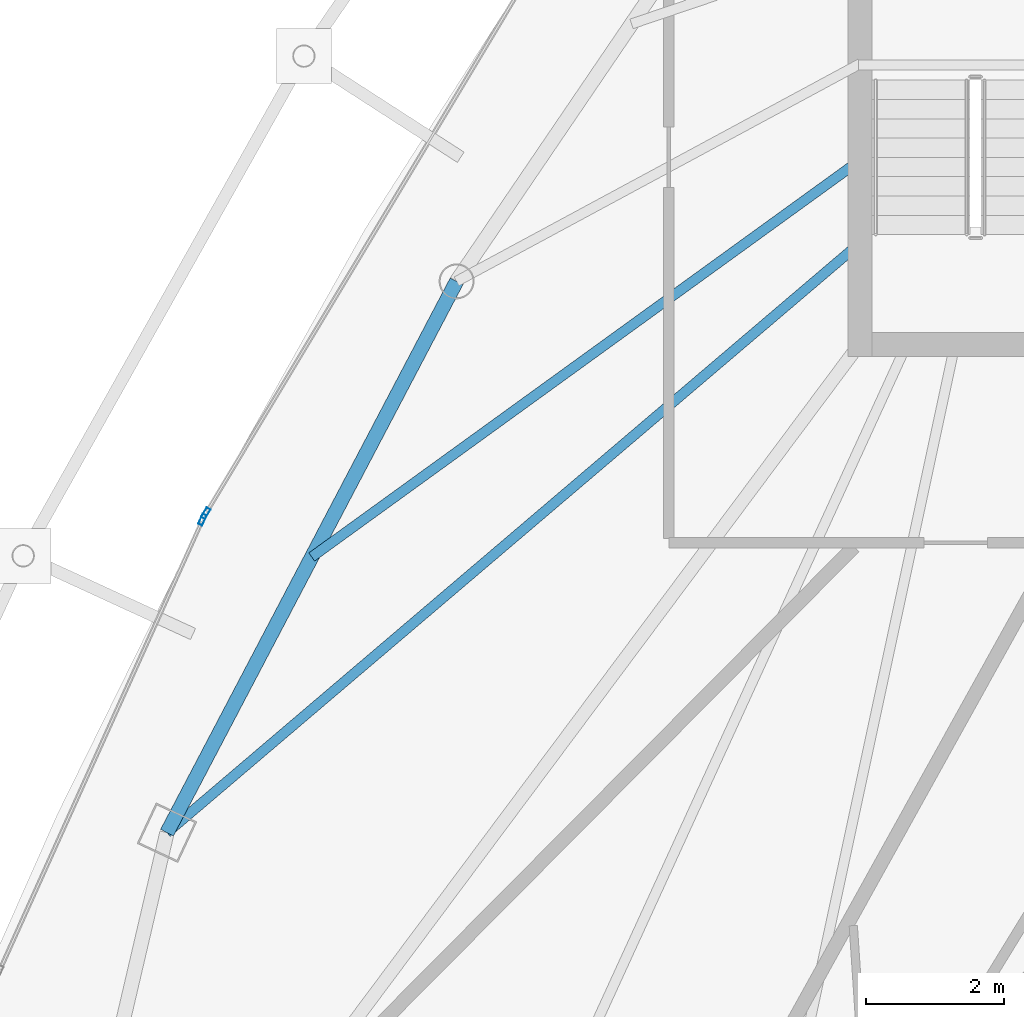
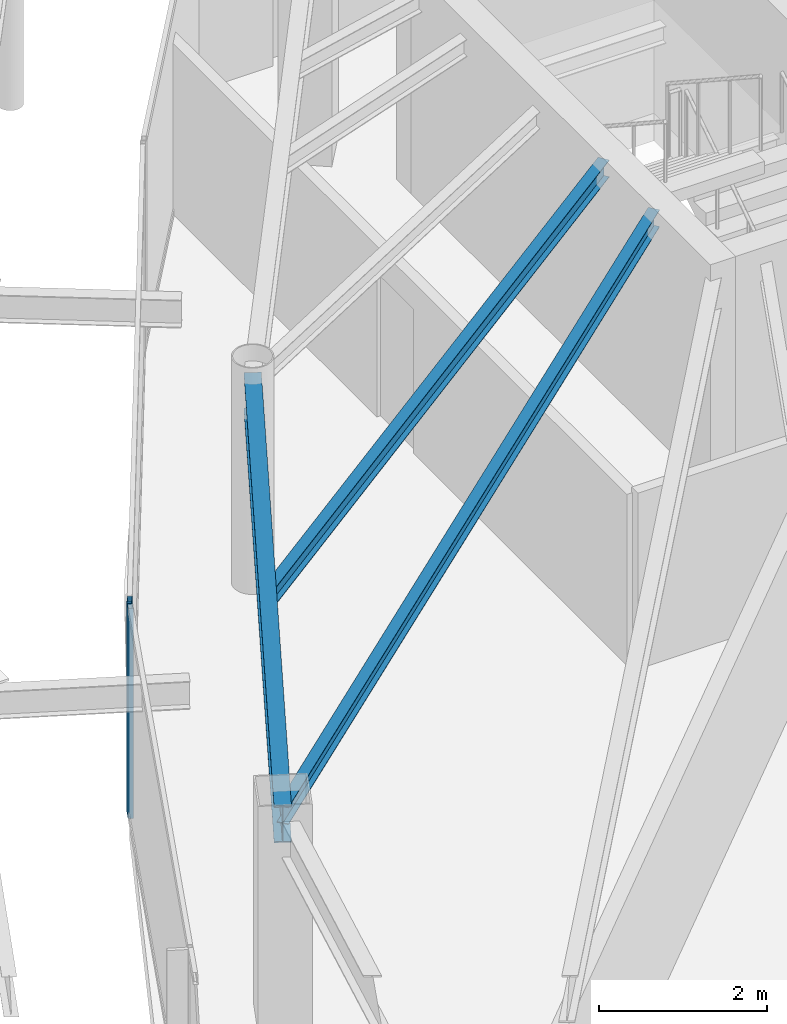
# One storey, part 10 of 29: 3 beams, 2 members, 2 elements without a shape of their own.
"""IFC4 building model written with IfcOpenShell, lengths in metres."""

from ifc_helpers import new_model, si_unit, direction, frame, origin, origin_2d, place, context, subcontext, project, spatial, hollow_rectangle, i_section, extrude, material, layer, layer_set, material_profile, profile_set, type_object, element, aggregate, save


model = new_model("IFC4")

# Units and contexts
model_context = context("Model", 3, precision=1e-05, world=origin(), true_north=direction((0.0, 1.0)))
body_context = subcontext(model_context, "Body", "Model", "MODEL_VIEW")
ifc_project = project(units=[si_unit("LENGTHUNIT", "METRE"), si_unit("AREAUNIT", "SQUARE_METRE"), si_unit("VOLUMEUNIT", "CUBIC_METRE"), si_unit("PLANEANGLEUNIT", "RADIAN"), si_unit("MASSUNIT", "GRAM", prefix="KILO")], contexts=[model_context])

# Site, building, storey
site_placement = place(None, origin())
site = spatial("IfcSite", under=ifc_project, at=site_placement, CompositionType="ELEMENT")
building_placement = place(site_placement, origin())
building = spatial("IfcBuilding", under=site, at=building_placement, Name="Orvanel Arch Residences", CompositionType="ELEMENT")
storey_placement = place(building_placement, frame((0.0, 0.0, 256.85009765625)))
storey = spatial("IfcBuildingStorey", under=building, at=storey_placement, Name="L73", CompositionType="ELEMENT", Elevation=256.85009765625)

# Beams
ifc_material_1 = material(Name="Structural steel AS/NZS 3679.1 Grade 300 (300 MPa)", Category="steel")
ifc_material_profile_1 = material_profile(ifc_material_1, i_section(OverallWidth=0.14599609375, OverallDepth=0.251953125, WebThickness=0.006103515625, FlangeThickness=0.008544921875, at=origin_2d()), Name="250UB31.4")
ifc_profile_set_1 = profile_set([ifc_material_profile_1], Name="Structural steel AS/NZS 3679.1 Grade 300 (300 MPa)")
beam_type_1 = type_object("IfcBeamType", Name="BJ-250UB", PredefinedType="JOIST", material=ifc_profile_set_1)
beam_1_placement = place(storey_placement, frame((26.425048828125, 28.199951171875, 2.933837890625), z_axis=(-0.761622669031, -0.64802076357, 0.0), x_axis=(0.64802076357, -0.761622669031, 0.0)))
element("IfcBeam", 1, at=beam_1_placement, inside=storey, type_object=beam_type_1, Name="L73 W Wing Floor Joist", PredefinedType="JOIST", context=body_context, shape_type="SweptSolid", body=[
    extrude(i_section(OverallWidth=0.14599609375, OverallDepth=0.251953125, WebThickness=0.006103515625, FlangeThickness=0.008544921875, at=origin_2d()), origin(), (0.0, 0.0, 1.0), 13.2060546875),
])
beam_2_placement = place(storey_placement, frame((26.425048828125, 29.39990234375, 2.933837890625), z_axis=(-0.810144032972, -0.586230881002, 0.0), x_axis=(0.586230881002, -0.810144032972, 0.0)))
element("IfcBeam", 2, at=beam_2_placement, inside=storey, type_object=beam_type_1, Name="L73 CTW Wing Floor Joist", PredefinedType="JOIST", context=body_context, shape_type="SweptSolid", body=[
    extrude(i_section(OverallWidth=0.14599609375, OverallDepth=0.251953125, WebThickness=0.006103515625, FlangeThickness=0.008544921875, at=origin_2d()), origin(), (0.0, 0.0, 1.0), 9.82177734375),
])

# Curtain wall, member
ifc_material_2 = material(Name="Bronze-anodised aluminium AA6063-T6", Category="aluminium")
ifc_layer = layer(ifc_material_2, 0.175048828125)
ifc_layer_set = layer_set([ifc_layer], Name="Bronze-anodised aluminium AA6063-T6")
curtain_wall_type = type_object("IfcCurtainWallType", Name="CW4-HI-SYS", PredefinedType="NOTDEFINED", material=ifc_layer_set)
curtain_wall_1_placement = place(storey_placement, origin())
curtain_wall_1 = element("IfcCurtainWall", 3, at=curtain_wall_1_placement, inside=storey, type_object=curtain_wall_type, Name="L73 CW4-HI-SYS Unitised Curtain Wall", PredefinedType="NOTDEFINED")
ifc_material_profile_2 = material_profile(ifc_material_2, hollow_rectangle(XDim=0.06494140625, YDim=0.159912109375, WallThickness=0.00390625, at=origin_2d()), Name="ALU160x65x4")
ifc_profile_set_2 = profile_set([ifc_material_profile_2], Name="Bronze-anodised aluminium AA6063-T6")
member_type = type_object("IfcMemberType", Name="MUL-160x65", PredefinedType="MULLION", material=ifc_profile_set_2)
member_1_placement = place(storey_placement, frame((16.9306640625, 24.27587890625, 0.0), z_axis=(0.0, 0.0, 1.0), x_axis=(0.857576137808, -0.514357043174, 0.0)))
member_1 = element("IfcMember", 4, at=member_1_placement, type_object=member_type, Name="CW-S4 mullion 2", PredefinedType="MULLION", context=body_context, shape_type="SweptSolid", body=[
    extrude(hollow_rectangle(XDim=0.06494140625, YDim=0.159912109375, WallThickness=0.00390625, at=origin_2d()), origin(), (0.0, 0.0, 1.0), 3.059814453125),
])
aggregate(curtain_wall_1, [member_1])

curtain_wall_2_placement = place(storey_placement, origin())
curtain_wall_2 = element("IfcCurtainWall", 5, at=curtain_wall_2_placement, inside=storey, type_object=curtain_wall_type, Name="L73 CW4-HI-SYS Unitised Curtain Wall", PredefinedType="NOTDEFINED")
member_2_placement = place(storey_placement, frame((16.882568359375, 24.183349609375, 0.0), z_axis=(0.0, 0.0, 1.0), x_axis=(0.911907243559, -0.410396368338, 0.0)))
member_2 = element("IfcMember", 6, at=member_2_placement, type_object=member_type, Name="CW-S4 mullion 1", PredefinedType="MULLION", context=body_context, shape_type="SweptSolid", body=[
    extrude(hollow_rectangle(XDim=0.06494140625, YDim=0.159912109375, WallThickness=0.00390625, at=origin_2d()), origin(), (0.0, 0.0, 1.0), 3.059814453125),
])
aggregate(curtain_wall_2, [member_2])

# Beam
ifc_material_profile_3 = material_profile(ifc_material_1, i_section(OverallWidth=0.208984375, OverallDepth=0.532958984375, WebThickness=0.01025390625, FlangeThickness=0.015625, at=origin_2d()), Name="530UB92.4")
ifc_profile_set_3 = profile_set([ifc_material_profile_3], Name="Structural steel AS/NZS 3679.1 Grade 300 (300 MPa)")
beam_type_2 = type_object("IfcBeamType", Name="SP-530UB", PredefinedType="SPANDREL", material=ifc_profile_set_3)
beam_3_placement = place(storey_placement, frame((20.569091796875, 27.64111328125, 2.7939453125), z_axis=(-0.465064762793, -0.885276660942, 0.0), x_axis=(0.885276660942, -0.465064762793, 0.0)))
element("IfcBeam", 7, at=beam_3_placement, inside=storey, type_object=beam_type_2, Name="L73 Perimeter Spandrel Beam 12", PredefinedType="SPANDREL", context=body_context, shape_type="SweptSolid", body=[
    extrude(i_section(OverallWidth=0.208984375, OverallDepth=0.532958984375, WebThickness=0.01025390625, FlangeThickness=0.015625, at=origin_2d()), origin(), (0.0, 0.0, 1.0), 9.03564453125),
])

save(model, "model.ifc")
